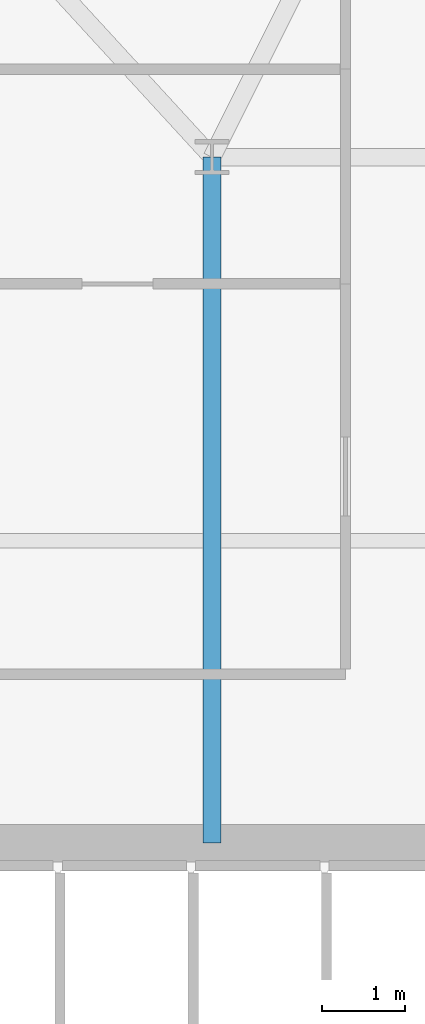
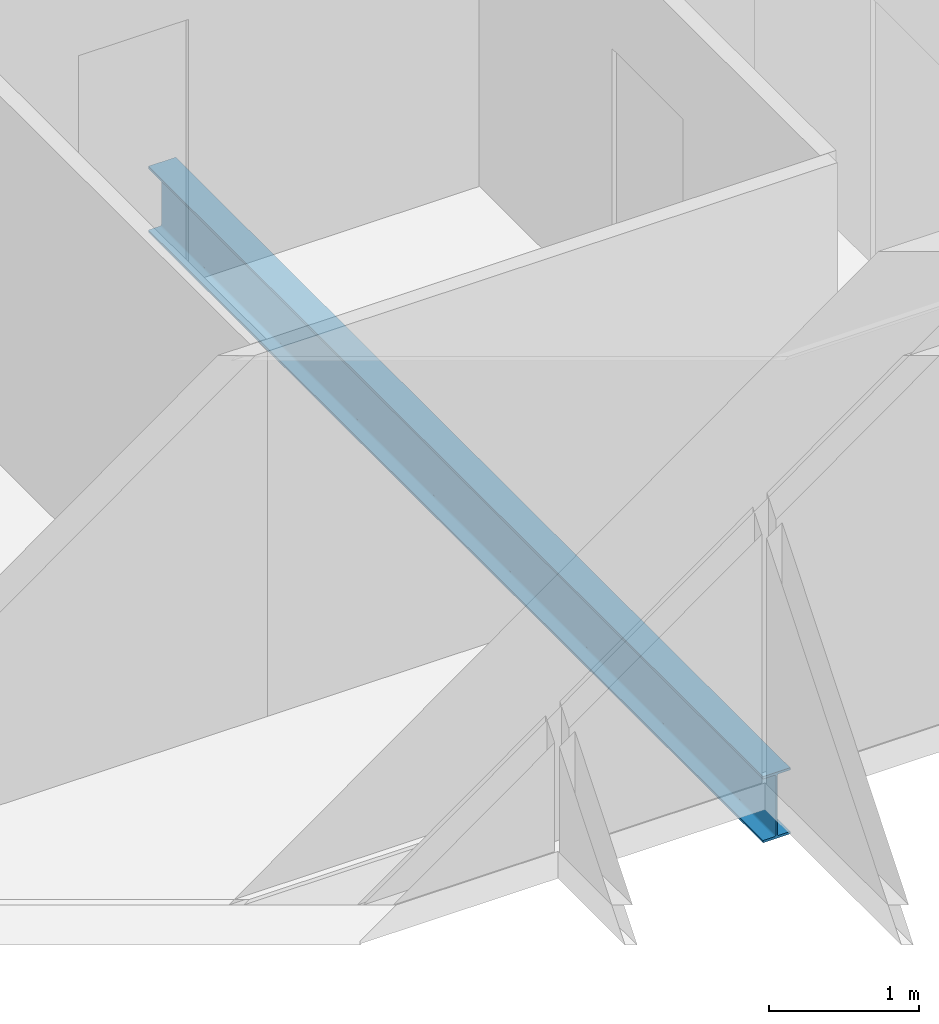
# One storey, part 6 of 32: 1 beam.
"""IFC4 building model written with IfcOpenShell, lengths in metres."""

from ifc_helpers import new_model, si_unit, direction, frame, origin, origin_2d, place, context, subcontext, project, spatial, i_section, extrude, material, material_profile, profile_set, type_object, element, save


model = new_model("IFC4")

# Units and contexts
model_context = context("Model", 3, precision=1e-05, world=origin(), true_north=direction((0.0, 1.0)))
body_context = subcontext(model_context, "Body", "Model", "MODEL_VIEW")
ifc_project = project(units=[si_unit("LENGTHUNIT", "METRE"), si_unit("AREAUNIT", "SQUARE_METRE"), si_unit("VOLUMEUNIT", "CUBIC_METRE"), si_unit("PLANEANGLEUNIT", "RADIAN"), si_unit("MASSUNIT", "GRAM", prefix="KILO")], contexts=[model_context])

# Site, building, storey
site_placement = place(None, origin())
site = spatial("IfcSite", under=ifc_project, at=site_placement, CompositionType="ELEMENT")
building_placement = place(site_placement, origin())
building = spatial("IfcBuilding", under=site, at=building_placement, Name="Ndaravel Arena Tower", CompositionType="ELEMENT")
storey_placement = place(building_placement, frame((0.0, 0.0, 157.39990234375)))
storey = spatial("IfcBuildingStorey", under=building, at=storey_placement, Name="L37", CompositionType="ELEMENT", Elevation=157.39990234375)

# Beam
ifc_material = material(Name="Steel S355", Category="steel")
ifc_material_profile = material_profile(ifc_material, i_section(OverallWidth=0.210693359375, OverallDepth=0.53955078125, WebThickness=0.01171875, FlangeThickness=0.018798828125, FilletRadius=0.0126953125, at=origin_2d()), Name="UB 533x210x109")
ifc_profile_set = profile_set([ifc_material_profile], Name="Steel S355")
beam_type = type_object("IfcBeamType", Name="BM-GIRD-UB533", PredefinedType="BEAM", material=ifc_profile_set)
beam_placement = place(storey_placement, frame((34.199951171875, 14.97998046875, -0.489501953125), z_axis=(0.0, 1.0, 0.0), x_axis=(-1.0, 0.0, 0.0)))
element("IfcBeam", 1, at=beam_placement, inside=storey, type_object=beam_type, Name="L37 Spine Link Girder SLG-01", PredefinedType="BEAM", context=body_context, shape_type="SweptSolid", body=[
    extrude(i_section(OverallWidth=0.210693359375, OverallDepth=0.53955078125, WebThickness=0.01171875, FlangeThickness=0.018798828125, FilletRadius=0.0126953125, at=origin_2d()), origin(), (0.0, 0.0, 1.0), 8.219970703125),
])

save(model, "model.ifc")
